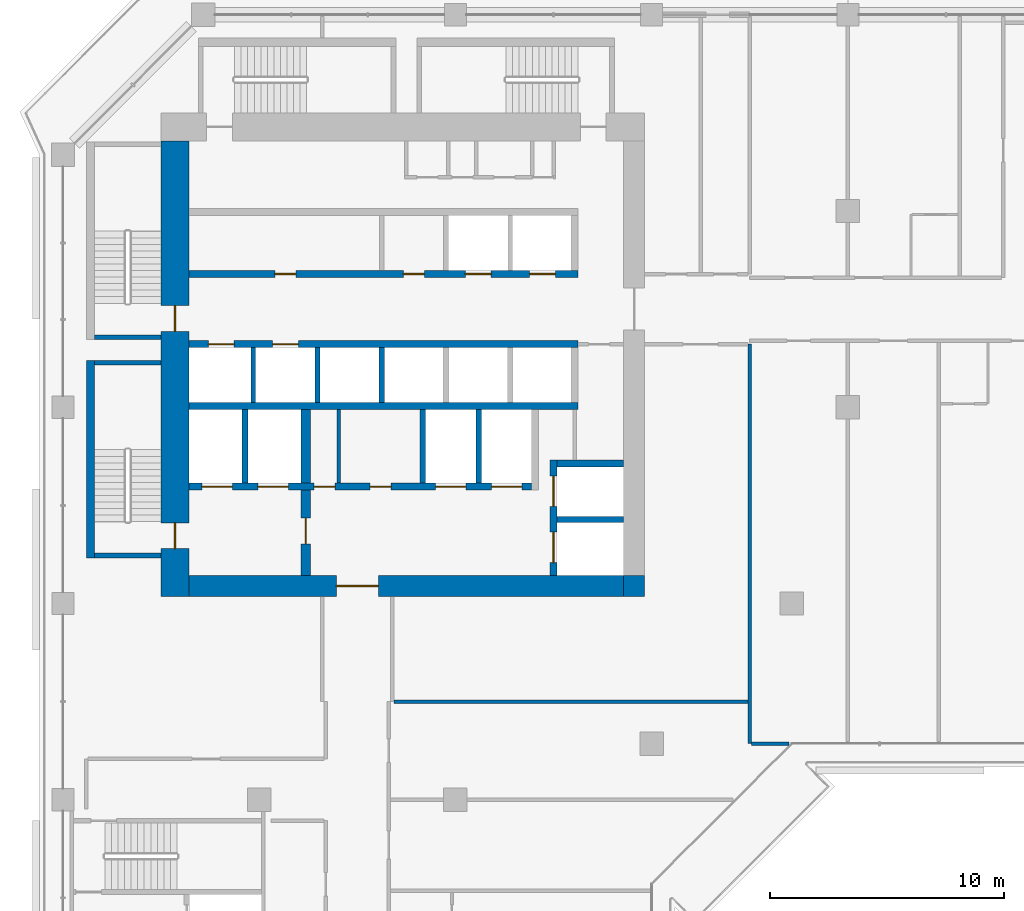
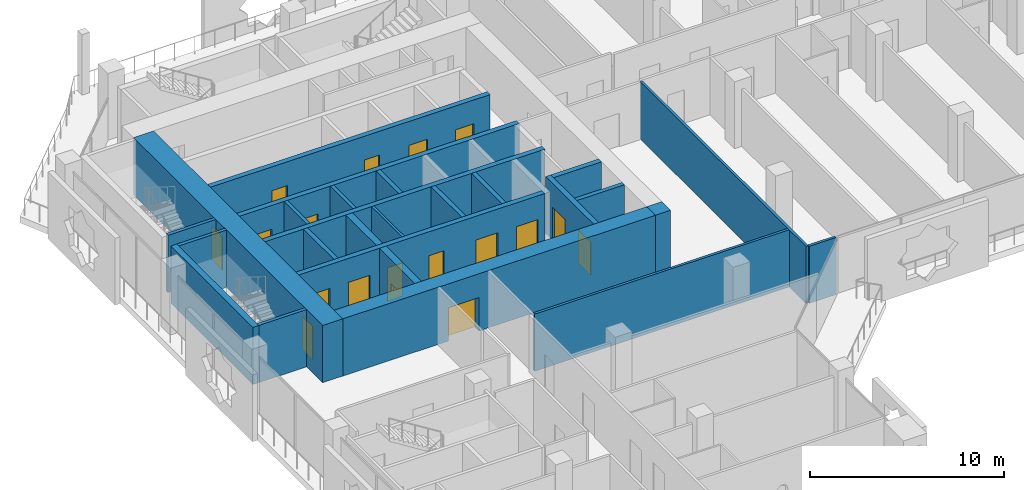
# One storey, part 11 of 22: 26 walls, 18 doors, 18 openings.
"""IFC4 building model written with IfcOpenShell, lengths in metres."""

import ifcopenshell
import ifcopenshell.guid

model = None  # the IFC model being written
_history = None  # IfcOwnerHistory: only IFC2X3 demands one
_inside = {}  # id of a spatial element -> (the spatial element, [elements in it])
_under = {}  # id of a project, library or spatial element -> (it, [spatial elements below it])
_declared = {}  # id of a project -> (the project, [libraries it declares])
_typed = {}  # id of a type object -> (the type object, [elements of that type])
_made_of = {}  # id of a material, layer set ... -> (it, [elements and type objects made of it])


def new_model(schema):
    """Start an empty IFC model of exactly this schema.

    Asked for "IFC4X3", IfcOpenShell would pick the latest addendum, in which some entities
    have other attributes; the version numbers below select the first issue.
    IFC2X3 requires an IfcOwnerHistory on every rooted entity: one is made here for all.
    """
    global model, _history
    if schema == "IFC4X3":
        model = ifcopenshell.file(schema_version=(4, 3, 0, 0))
    else:
        model = ifcopenshell.file(schema=schema)
    _inside.clear()
    _under.clear()
    _declared.clear()
    _typed.clear()
    _made_of.clear()
    _history = None
    if model.schema == "IFC2X3":
        org = make("IfcOrganization", Name="unknown")
        user = make(
            "IfcPersonAndOrganization",
            ThePerson=make("IfcPerson", FamilyName="unknown"),
            TheOrganization=org,
        )
        app = make(
            "IfcApplication",
            ApplicationDeveloper=org,
            Version="unknown",
            ApplicationFullName="unknown",
            ApplicationIdentifier="unknown",
        )
        _history = make(
            "IfcOwnerHistory",
            OwningUser=user,
            OwningApplication=app,
            ChangeAction="ADDED",
            CreationDate=0,
        )
    return model


def make(cls, **values):
    """One entity of the class cls with the attributes given. An attribute that is None is left unset."""
    return model.create_entity(
        cls, **{name: value for name, value in values.items() if value is not None}
    )


def rooted(cls, **values):
    """An entity with a GlobalId (a new one), such as an element, a storey or a relation."""
    return make(cls, GlobalId=ifcopenshell.guid.new(), OwnerHistory=_history, **values)


def si_unit(unit_type, name, prefix=None):
    """IfcSIUnit, for example si_unit("LENGTHUNIT", "METRE", prefix="MILLI")."""
    return make("IfcSIUnit", UnitType=unit_type, Prefix=prefix, Name=name)


def assignment(units):
    """IfcUnitAssignment: the units of a project."""
    return None if units is None else make("IfcUnitAssignment", Units=units)


def point(xyz):
    """IfcCartesianPoint."""
    return None if xyz is None else make("IfcCartesianPoint", Coordinates=xyz)


def direction(xyz):
    """IfcDirection."""
    return None if xyz is None else make("IfcDirection", DirectionRatios=xyz)


def frame(location, z_axis=None, x_axis=None):
    """IfcAxis2Placement3D, a coordinate frame: its origin and axes. An axis left out is left unset."""
    return make(
        "IfcAxis2Placement3D",
        Location=point(location),
        Axis=direction(z_axis),
        RefDirection=direction(x_axis),
    )


def frame_2d(location, x_axis=None):
    """IfcAxis2Placement2D, a coordinate frame in the plane: its origin and x axis."""
    return make(
        "IfcAxis2Placement2D", Location=point(location), RefDirection=direction(x_axis)
    )


def origin():
    """The frame at (0, 0, 0) with its axes left unset."""
    return frame((0.0, 0.0, 0.0))


def place(relative_to, where):
    """IfcLocalPlacement: puts the frame where relative to a parent placement (None: the world)."""
    return make(
        "IfcLocalPlacement", PlacementRelTo=relative_to, RelativePlacement=where
    )


def context(
    kind, dimensions, precision=None, world=None, true_north=None, identifier=None
):
    """IfcGeometricRepresentationContext, for example the 3D "Model" context."""
    return make(
        "IfcGeometricRepresentationContext",
        ContextIdentifier=identifier,
        ContextType=kind,
        CoordinateSpaceDimension=dimensions,
        Precision=precision,
        WorldCoordinateSystem=world,
        TrueNorth=true_north,
    )


def subcontext(parent, identifier, kind, view, scale=None):
    """IfcGeometricRepresentationSubContext, for example "Body" below "Model"."""
    return make(
        "IfcGeometricRepresentationSubContext",
        ContextIdentifier=identifier,
        ContextType=kind,
        ParentContext=parent,
        TargetScale=scale,
        TargetView=view,
    )


def project(units=None, contexts=None):
    """IfcProject with its units and contexts."""
    return rooted(
        "IfcProject",
        Name="project",
        RepresentationContexts=contexts,
        UnitsInContext=assignment(units),
    )


def spatial(cls, under=None, at=None, **own):
    """A site, building, storey or space (cls), placed at a placement, below another one or the project."""
    s = rooted(cls, ObjectPlacement=at, **own)
    if under is not None:
        _under.setdefault(under.id(), (under, []))[1].append(s)
    return s


def profile(cls, at=None, kind="AREA", **sizes):
    """A parametric profile (cls). Its sizes go by their IFC names, for example OverallWidth=200.0."""
    return make(cls, ProfileType=kind, Position=at, **sizes)


def rectangle(**sizes):
    """IfcRectangleProfileDef."""
    return profile("IfcRectangleProfileDef", **sizes)


def extrude(swept, where, along, depth):
    """IfcExtrudedAreaSolid: the profile swept, set in the frame where, extruded along a direction by depth."""
    return make(
        "IfcExtrudedAreaSolid",
        SweptArea=swept,
        Position=where,
        ExtrudedDirection=direction(along),
        Depth=depth,
    )


def shape(context_of_items, identifier, shape_type, items):
    """IfcShapeRepresentation: the items that make up one representation, for example the "Body"."""
    return make(
        "IfcShapeRepresentation",
        ContextOfItems=context_of_items,
        RepresentationIdentifier=identifier,
        RepresentationType=shape_type,
        Items=items,
    )


def material(Name=None, Category=None):
    """IfcMaterial."""
    return make("IfcMaterial", Name=Name, Category=Category)


def layer(
    of_material, thickness, ventilated=None, Name=None, Category=None, Priority=None
):
    """IfcMaterialLayer: one layer of a wall or slab, of a material (None: an air gap)."""
    return make(
        "IfcMaterialLayer",
        Material=of_material,
        LayerThickness=thickness,
        IsVentilated=ventilated,
        Name=Name,
        Category=Category,
        Priority=Priority,
    )


def layer_set(layers, Name=None):
    """IfcMaterialLayerSet."""
    return make("IfcMaterialLayerSet", MaterialLayers=layers, LayerSetName=Name)


def made_of(thing, what):
    """Note that an element or type object is made of a material, layer set ...; save() writes the relation."""
    if what is not None:
        _made_of.setdefault(what.id(), (what, []))[1].append(thing)
    return thing


def type_object(cls, material=None, **own):
    """A type object (cls), such as IfcWallType, which elements share."""
    return made_of(rooted(cls, **own), material)


def element(
    cls,
    number,
    at=None,
    inside=None,
    cuts=None,
    type_object=None,
    material=None,
    context=None,
    identifier="Body",
    shape_type=None,
    held_by="IfcProductDefinitionShape",
    body=None,
    shapes=None,
    **own,
):
    """One element of the class cls, such as IfcWall. Its Tag is "e" and its number.

    at: its placement. inside: the storey or other place that contains it. cuts: it is an
    opening in that element (IfcRelVoidsElement). A single representation is given by context,
    identifier, shape_type and body (its items); several are given by shapes. held_by: the class
    of the entity that holds the representations. save() writes the other relations.
    """
    e = rooted(cls, Tag="e%d" % number, ObjectPlacement=at, **own)
    if body is not None:
        shapes = [shape(context, identifier, shape_type, body)]
    if shapes is not None:
        e.Representation = make(held_by, Representations=shapes)
    if inside is not None:
        _inside.setdefault(inside.id(), (inside, []))[1].append(e)
    if cuts is not None:
        rooted(
            "IfcRelVoidsElement", RelatingBuildingElement=cuts, RelatedOpeningElement=e
        )
    if type_object is not None:
        _typed.setdefault(type_object.id(), (type_object, []))[1].append(e)
    return made_of(e, material)


def fill(opening, filler):
    """IfcRelFillsElement: the door or window that sits in an opening."""
    return rooted(
        "IfcRelFillsElement",
        RelatingOpeningElement=opening,
        RelatedBuildingElement=filler,
    )


def aggregate(whole, parts):
    """IfcRelAggregates: a whole, such as a stair, and the parts it consists of."""
    return rooted("IfcRelAggregates", RelatingObject=whole, RelatedObjects=parts)


def save(model, path):
    """Write the relations noted so far, then the file.

    IfcRelAggregates (storeys below a building ...), IfcRelContainedInSpatialStructure (elements
    in a storey), IfcRelDefinesByType, IfcRelAssociatesMaterial and IfcRelDeclares: one each for
    every whole, place, type object, material and project.
    """
    for whole, parts in _under.values():
        aggregate(whole, parts)
    for where, things in _inside.values():
        rooted(
            "IfcRelContainedInSpatialStructure",
            RelatedElements=things,
            RelatingStructure=where,
        )
    for kind, things in _typed.values():
        rooted("IfcRelDefinesByType", RelatedObjects=things, RelatingType=kind)
    for what, things in _made_of.values():
        rooted("IfcRelAssociatesMaterial", RelatedObjects=things, RelatingMaterial=what)
    for by, libraries in _declared.values():
        rooted("IfcRelDeclares", RelatingContext=by, RelatedDefinitions=libraries)
    model.write(path)


model = new_model("IFC4")

# Units and contexts
model_context = context("Model", 3, precision=1e-05, world=origin(), true_north=direction((0.0, 1.0)))
body_context = subcontext(model_context, "Body", "Model", "MODEL_VIEW")
ifc_project = project(units=[si_unit("LENGTHUNIT", "METRE"), si_unit("AREAUNIT", "SQUARE_METRE"), si_unit("VOLUMEUNIT", "CUBIC_METRE"), si_unit("PLANEANGLEUNIT", "RADIAN"), si_unit("MASSUNIT", "GRAM", prefix="KILO")], contexts=[model_context])

# Site, building, storey
site_placement = place(None, origin())
site = spatial("IfcSite", under=ifc_project, at=site_placement, CompositionType="ELEMENT")
building_placement = place(site_placement, origin())
building = spatial("IfcBuilding", under=site, at=building_placement, Name="Kawkab Arch Medical Tower", CompositionType="ELEMENT")
storey_placement = place(building_placement, frame((0.0, 0.0, 171.0)))
storey = spatial("IfcBuildingStorey", under=building, at=storey_placement, Name="L39", CompositionType="ELEMENT", Elevation=171.0)

# Wall, openings, doors
ifc_material_1 = material(Name="Concrete C55/67", Category="concrete")
ifc_layer_1 = layer(ifc_material_1, 1.199951171875)
ifc_layer_set_1 = layer_set([ifc_layer_1], Name="Concrete C55/67")
wall_type_1 = type_object("IfcWallType", Name="Core ring wall 1200 C55/67", PredefinedType="SHEAR", material=ifc_layer_set_1)
wall_1_placement = place(storey_placement, frame((4.800048828125, -24.89990234375, 0.0), z_axis=(0.0, 0.0, 1.0), x_axis=(0.0, 1.0, 0.0)))
wall_1 = element("IfcWall", 1, at=wall_1_placement, inside=storey, type_object=wall_type_1, Name="L39 core wall", PredefinedType="SHEAR", context=body_context, shape_type="SweptSolid", body=[
    extrude(rectangle(XDim=19.5, YDim=1.199951171875, at=frame_2d((9.75, 0.0))), origin(), (0.0, 0.0, 1.0), 3.60009765625),
])
opening_1_placement = place(wall_1_placement, frame((11.35009765625, 0.0, 0.0)))
opening_1 = element("IfcOpeningElement", 2, at=opening_1_placement, cuts=wall_1, Name="Opening SD", PredefinedType="OPENING", context=body_context, shape_type="SweptSolid", body=[
    extrude(rectangle(XDim=1.10009765625, YDim=2.10009765625, at=frame_2d((0.550048828125, 1.050048828125))), frame((0.0, 0.60986328125, 0.0), z_axis=(0.0, -1.0, 0.0), x_axis=(1.0, 0.0, 0.0)), (0.0, 0.0, 1.0), 1.219970703125),
])
opening_2_placement = place(wall_1_placement, frame((2.050048828125, 0.0, 0.0)))
opening_2 = element("IfcOpeningElement", 3, at=opening_2_placement, cuts=wall_1, Name="Opening SD", PredefinedType="OPENING", context=body_context, shape_type="SweptSolid", body=[
    extrude(rectangle(XDim=1.10009765625, YDim=2.10009765625, at=frame_2d((0.550048828125, 1.050048828125))), frame((0.0, 0.60986328125, 0.0), z_axis=(0.0, -1.0, 0.0), x_axis=(1.0, 0.0, 0.0)), (0.0, 0.0, 1.0), 1.219970703125),
])
ifc_material_2 = material(Name="Hollow metal fire door leaf")
door_type_1 = type_object("IfcDoorType", Name="Exit stair door 1100", OperationType="SINGLE_SWING_LEFT", PredefinedType="DOOR", material=ifc_material_2)
door_1_placement = place(opening_1_placement, origin())
door_1 = element("IfcDoor", 4, at=door_1_placement, inside=storey, type_object=door_type_1, Name="L39 Exit stair ST1 door", OperationType="SINGLE_SWING_LEFT", OverallHeight=2.10009765625, OverallWidth=1.10009765625, PredefinedType="DOOR", context=body_context, shape_type="SweptSolid", body=[
    extrude(rectangle(XDim=1.10009765625, YDim=2.10009765625, at=frame_2d((0.550048828125, 1.050048828125))), frame((0.0, 0.02490234375, 0.0), z_axis=(0.0, -1.0, 0.0), x_axis=(1.0, 0.0, 0.0)), (0.0, 0.0, 1.0), 0.050048828125),
])
fill(opening_1, door_1)
door_2_placement = place(opening_2_placement, origin())
door_2 = element("IfcDoor", 5, at=door_2_placement, inside=storey, type_object=door_type_1, Name="L39 Exit stair ST2 door", OperationType="SINGLE_SWING_LEFT", OverallHeight=2.10009765625, OverallWidth=1.10009765625, PredefinedType="DOOR", context=body_context, shape_type="SweptSolid", body=[
    extrude(rectangle(XDim=1.10009765625, YDim=2.10009765625, at=frame_2d((0.550048828125, 1.050048828125))), frame((0.0, 0.02490234375, 0.0), z_axis=(0.0, -1.0, 0.0), x_axis=(1.0, 0.0, 0.0)), (0.0, 0.0, 1.0), 0.050048828125),
])
fill(opening_2, door_2)

# Wall, opening, door
ifc_material_3 = material(Name="Concrete C55/67", Category="concrete")
ifc_layer_2 = layer(ifc_material_3, 0.89990234375)
ifc_layer_set_2 = layer_set([ifc_layer_2], Name="Concrete C55/67")
wall_type_2 = type_object("IfcWallType", Name="Core ring wall 900 C55/67", PredefinedType="SHEAR", material=ifc_layer_set_2)
wall_2_placement = place(storey_placement, frame((5.39990234375, -24.449951171875, 0.0), z_axis=(0.0, 0.0, 1.0), x_axis=(1.0, 0.0, 0.0)))
wall_2 = element("IfcWall", 6, at=wall_2_placement, inside=storey, type_object=wall_type_2, Name="L39 core wall", PredefinedType="SHEAR", context=body_context, shape_type="SweptSolid", body=[
    extrude(rectangle(XDim=18.60009765625, YDim=0.89990234375, at=frame_2d((9.300048828125, 0.0))), origin(), (0.0, 0.0, 1.0), 3.60009765625),
])
opening_3_placement = place(wall_2_placement, frame((6.300048828125, 0.0, 0.0)))
opening_3 = element("IfcOpeningElement", 7, at=opening_3_placement, cuts=wall_2, Name="Opening PD", PredefinedType="OPENING", context=body_context, shape_type="SweptSolid", body=[
    extrude(rectangle(XDim=1.800048828125, YDim=2.10009765625, at=frame_2d((0.89990234375, 1.050048828125))), frame((0.0, 0.4599609375, 0.0), z_axis=(0.0, -1.0, 0.0), x_axis=(1.0, 0.0, 0.0)), (0.0, 0.0, 1.0), 0.919921875),
])
ifc_material_4 = material(Name="Hollow metal fire door leaf")
door_type_2 = type_object("IfcDoorType", Name="Core entrance doors 1800", OperationType="DOUBLE_DOOR_SINGLE_SWING", PredefinedType="DOOR", material=ifc_material_4)
door_3_placement = place(opening_3_placement, origin())
door_3 = element("IfcDoor", 8, at=door_3_placement, inside=storey, type_object=door_type_2, Name="L39 South entrance doors", OperationType="DOUBLE_DOOR_SINGLE_SWING", OverallHeight=2.10009765625, OverallWidth=1.800048828125, PredefinedType="DOOR", context=body_context, shape_type="SweptSolid", body=[
    extrude(rectangle(XDim=1.800048828125, YDim=2.10009765625, at=frame_2d((0.89990234375, 1.050048828125))), frame((0.0, 0.02490234375, 0.0), z_axis=(0.0, -1.0, 0.0), x_axis=(1.0, 0.0, 0.0)), (0.0, 0.0, 1.0), 0.050048828125),
])
fill(opening_3, door_3)

# Walls
wall_3_placement = place(storey_placement, frame((24.449951171875, -24.89990234375, 0.0), z_axis=(0.0, 0.0, 1.0), x_axis=(0.0, 1.0, 0.0)))
element("IfcWall", 9, at=wall_3_placement, inside=storey, type_object=wall_type_2, Name="L39 core wall", PredefinedType="SHEAR", context=body_context, shape_type="SweptSolid", body=[
    extrude(rectangle(XDim=0.89990234375, YDim=0.89990234375, at=frame_2d((0.449951171875, 0.0))), origin(), (0.0, 0.0, 1.0), 3.60009765625),
])
ifc_material_5 = material(Name="Gypsum board on steel studs", Category="steel")
ifc_layer_3 = layer(ifc_material_5, 0.14990234375)
ifc_layer_set_3 = layer_set([ifc_layer_3], Name="Gypsum board on steel studs")
wall_type_3 = type_object("IfcWallType", Name="Core room partition 150", PredefinedType="PARTITIONING", material=ifc_layer_set_3)
wall_4_placement = place(storey_placement, frame((11.800048828125, -20.050048828125, 0.0), z_axis=(0.0, 0.0, 1.0), x_axis=(0.0, 1.0, 0.0)))
element("IfcWall", 10, at=wall_4_placement, inside=storey, type_object=wall_type_3, Name="L39 core room partition", PredefinedType="PARTITIONING", context=body_context, shape_type="SweptSolid", body=[
    extrude(rectangle(XDim=3.150146484375, YDim=0.14990234375, at=frame_2d((1.5751953125, 0.0))), origin(), (0.0, 0.0, 1.0), 3.60009765625),
])
ifc_material_6 = material(Name="Concrete C60/75", Category="concrete")
ifc_layer_4 = layer(ifc_material_6, 0.25)
ifc_layer_set_4 = layer_set([ifc_layer_4], Name="Concrete C60/75")
wall_type_4 = type_object("IfcWallType", Name="Core shear wall 250 C60/75", PredefinedType="SHEAR", material=ifc_layer_set_4)
wall_5_placement = place(storey_placement, frame((21.14990234375, -21.60009765625, 0.0), z_axis=(0.0, 0.0, 1.0), x_axis=(1.0, 0.0, 0.0)))
element("IfcWall", 11, at=wall_5_placement, inside=storey, type_object=wall_type_4, Name="L39 core shear wall", PredefinedType="SHEAR", context=body_context, shape_type="SweptSolid", body=[
    extrude(rectangle(XDim=2.85009765625, YDim=0.25, at=frame_2d((1.425048828125, 0.0))), origin(), (0.0, 0.0, 1.0), 3.60009765625),
])
for number, where, z_axis, x_axis, name in (
    (12, (7.800048828125, -20.050048828125, 0.0), (0.0, 0.0, 1.0), (0.0, 1.0, 0.0), "L39 core shear wall"),
    (13, (15.39990234375, -20.050048828125, 0.0), (0.0, 0.0, 1.0), (0.0, 1.0, 0.0), "L39 core shear wall"),
    (14, (17.800048828125, -20.050048828125, 0.0), (0.0, 0.0, 1.0), (0.0, 1.0, 0.0), "L39 core shear wall"),
):
    element("IfcWall", number, at=place(storey_placement, frame(where, z_axis=z_axis, x_axis=x_axis)), inside=storey, type_object=wall_type_4, Name=name, PredefinedType="SHEAR", context=body_context, shape_type="SweptSolid", body=[
        extrude(rectangle(XDim=3.150146484375, YDim=0.25, at=frame_2d((1.5751953125, 0.0))), origin(), (0.0, 0.0, 1.0), 3.60009765625),
    ])
wall_6_placement = place(storey_placement, frame((13.64990234375, -16.60009765625, 0.0), z_axis=(0.0, 0.0, 1.0), x_axis=(0.0, 1.0, 0.0)))
element("IfcWall", 15, at=wall_6_placement, inside=storey, type_object=wall_type_4, Name="L39 core shear wall", PredefinedType="SHEAR", context=body_context, shape_type="SweptSolid", body=[
    extrude(rectangle(XDim=2.35009765625, YDim=0.25, at=frame_2d((1.175048828125, 0.0))), origin(), (0.0, 0.0, 1.0), 3.60009765625),
])

# Wall, openings, doors
ifc_material_7 = material(Name="Concrete C60/75", Category="concrete")
ifc_layer_5 = layer(ifc_material_7, 0.300048828125)
ifc_layer_set_5 = layer_set([ifc_layer_5], Name="Concrete C60/75")
wall_type_5 = type_object("IfcWallType", Name="Core shear wall 300 C60/75", PredefinedType="SHEAR", material=ifc_layer_set_5)
wall_7_placement = place(storey_placement, frame((5.39990234375, -11.10009765625, 0.0), z_axis=(0.0, 0.0, 1.0), x_axis=(1.0, 0.0, 0.0)))
wall_7 = element("IfcWall", 16, at=wall_7_placement, inside=storey, type_object=wall_type_5, Name="L39 core shear wall", PredefinedType="SHEAR", context=body_context, shape_type="SweptSolid", body=[
    extrude(rectangle(XDim=16.650146484375, YDim=0.300048828125, at=frame_2d((8.3251953125, 0.0))), origin(), (0.0, 0.0, 1.0), 3.60009765625),
])
opening_4_placement = place(wall_7_placement, frame((11.824951171875, 0.0, 0.0)))
opening_4 = element("IfcOpeningElement", 17, at=opening_4_placement, cuts=wall_7, Name="Opening LD1", PredefinedType="OPENING", context=body_context, shape_type="SweptSolid", body=[
    extrude(rectangle(XDim=1.10009765625, YDim=2.10009765625, at=frame_2d((0.550048828125, 1.050048828125))), frame((0.0, 0.159912109375, 0.0), z_axis=(0.0, -1.0, 0.0), x_axis=(1.0, 0.0, 0.0)), (0.0, 0.0, 1.0), 0.320068359375),
])
opening_5_placement = place(wall_7_placement, frame((14.574951171875, 0.0, 0.0)))
opening_5 = element("IfcOpeningElement", 18, at=opening_5_placement, cuts=wall_7, Name="Opening LD1", PredefinedType="OPENING", context=body_context, shape_type="SweptSolid", body=[
    extrude(rectangle(XDim=1.10009765625, YDim=2.10009765625, at=frame_2d((0.550048828125, 1.050048828125))), frame((0.0, 0.159912109375, 0.0), z_axis=(0.0, -1.0, 0.0), x_axis=(1.0, 0.0, 0.0)), (0.0, 0.0, 1.0), 0.320068359375),
])
opening_6_placement = place(wall_7_placement, frame((3.675048828125, 0.0, 0.0)))
opening_6 = element("IfcOpeningElement", 19, at=opening_6_placement, cuts=wall_7, Name="Opening RD", PredefinedType="OPENING", context=body_context, shape_type="SweptSolid", body=[
    extrude(rectangle(XDim=0.89990234375, YDim=2.10009765625, at=frame_2d((0.449951171875, 1.050048828125))), frame((0.0, 0.159912109375, 0.0), z_axis=(0.0, -1.0, 0.0), x_axis=(1.0, 0.0, 0.0)), (0.0, 0.0, 1.0), 0.320068359375),
])
opening_7_placement = place(wall_7_placement, frame((9.175048828125, 0.0, 0.0)))
opening_7 = element("IfcOpeningElement", 20, at=opening_7_placement, cuts=wall_7, Name="Opening RD", PredefinedType="OPENING", context=body_context, shape_type="SweptSolid", body=[
    extrude(rectangle(XDim=0.89990234375, YDim=2.10009765625, at=frame_2d((0.449951171875, 1.050048828125))), frame((0.0, 0.159912109375, 0.0), z_axis=(0.0, -1.0, 0.0), x_axis=(1.0, 0.0, 0.0)), (0.0, 0.0, 1.0), 0.320068359375),
])
ifc_material_8 = material(Name="Hollow metal fire door leaf")
door_type_3 = type_object("IfcDoorType", Name="Core room door 900", OperationType="SINGLE_SWING_LEFT", PredefinedType="DOOR", material=ifc_material_8)
door_4_placement = place(opening_6_placement, origin())
door_4 = element("IfcDoor", 21, at=door_4_placement, inside=storey, type_object=door_type_3, Name="L39 Clean utility room door", OperationType="SINGLE_SWING_LEFT", OverallHeight=2.10009765625, OverallWidth=0.89990234375, PredefinedType="DOOR", context=body_context, shape_type="SweptSolid", body=[
    extrude(rectangle(XDim=0.89990234375, YDim=2.10009765625, at=frame_2d((0.449951171875, 1.050048828125))), frame((0.0, 0.02490234375, 0.0), z_axis=(0.0, -1.0, 0.0), x_axis=(1.0, 0.0, 0.0)), (0.0, 0.0, 1.0), 0.050048828125),
])
fill(opening_6, door_4)
door_5_placement = place(opening_7_placement, origin())
door_5 = element("IfcDoor", 22, at=door_5_placement, inside=storey, type_object=door_type_3, Name="L39 General store door", OperationType="SINGLE_SWING_LEFT", OverallHeight=2.10009765625, OverallWidth=0.89990234375, PredefinedType="DOOR", context=body_context, shape_type="SweptSolid", body=[
    extrude(rectangle(XDim=0.89990234375, YDim=2.10009765625, at=frame_2d((0.449951171875, 1.050048828125))), frame((0.0, 0.02490234375, 0.0), z_axis=(0.0, -1.0, 0.0), x_axis=(1.0, 0.0, 0.0)), (0.0, 0.0, 1.0), 0.050048828125),
])
fill(opening_7, door_5)
ifc_material_9 = material(Name="Stainless steel lift door leaf", Category="steel")
door_type_4 = type_object("IfcDoorType", Name="Lift landing door 1100", OperationType="DOUBLE_DOOR_SLIDING", PredefinedType="DOOR", material=ifc_material_9)
door_6_placement = place(opening_4_placement, origin())
door_6 = element("IfcDoor", 23, at=door_6_placement, inside=storey, type_object=door_type_4, Name="L39 Lift landing door MP1", OperationType="DOUBLE_DOOR_SLIDING", OverallHeight=2.10009765625, OverallWidth=1.10009765625, PredefinedType="DOOR", context=body_context, shape_type="SweptSolid", body=[
    extrude(rectangle(XDim=1.10009765625, YDim=2.10009765625, at=frame_2d((0.550048828125, 1.050048828125))), frame((0.0, 0.02490234375, 0.0), z_axis=(0.0, -1.0, 0.0), x_axis=(1.0, 0.0, 0.0)), (0.0, 0.0, 1.0), 0.050048828125),
])
fill(opening_4, door_6)
door_7_placement = place(opening_5_placement, origin())
door_7 = element("IfcDoor", 24, at=door_7_placement, inside=storey, type_object=door_type_4, Name="L39 Lift landing door MP2", OperationType="DOUBLE_DOOR_SLIDING", OverallHeight=2.10009765625, OverallWidth=1.10009765625, PredefinedType="DOOR", context=body_context, shape_type="SweptSolid", body=[
    extrude(rectangle(XDim=1.10009765625, YDim=2.10009765625, at=frame_2d((0.550048828125, 1.050048828125))), frame((0.0, 0.02490234375, 0.0), z_axis=(0.0, -1.0, 0.0), x_axis=(1.0, 0.0, 0.0)), (0.0, 0.0, 1.0), 0.050048828125),
])
fill(opening_5, door_7)

wall_8_placement = place(storey_placement, frame((5.39990234375, -14.10009765625, 0.0), z_axis=(0.0, 0.0, 1.0), x_axis=(1.0, 0.0, 0.0)))
wall_8 = element("IfcWall", 25, at=wall_8_placement, inside=storey, type_object=wall_type_5, Name="L39 core shear wall", PredefinedType="SHEAR", context=body_context, shape_type="SweptSolid", body=[
    extrude(rectangle(XDim=16.650146484375, YDim=0.300048828125, at=frame_2d((8.3251953125, 0.0))), origin(), (0.0, 0.0, 1.0), 3.60009765625),
])
opening_8_placement = place(wall_8_placement, frame((0.824951171875, 0.0, 0.0)))
opening_8 = element("IfcOpeningElement", 26, at=opening_8_placement, cuts=wall_8, Name="Opening LD1", PredefinedType="OPENING", context=body_context, shape_type="SweptSolid", body=[
    extrude(rectangle(XDim=1.10009765625, YDim=2.10009765625, at=frame_2d((0.550048828125, 1.050048828125))), frame((0.0, 0.159912109375, 0.0), z_axis=(0.0, -1.0, 0.0), x_axis=(1.0, 0.0, 0.0)), (0.0, 0.0, 1.0), 0.320068359375),
])
opening_9_placement = place(wall_8_placement, frame((3.574951171875, 0.0, 0.0)))
opening_9 = element("IfcOpeningElement", 27, at=opening_9_placement, cuts=wall_8, Name="Opening LD1", PredefinedType="OPENING", context=body_context, shape_type="SweptSolid", body=[
    extrude(rectangle(XDim=1.10009765625, YDim=2.10009765625, at=frame_2d((0.550048828125, 1.050048828125))), frame((0.0, 0.159912109375, 0.0), z_axis=(0.0, -1.0, 0.0), x_axis=(1.0, 0.0, 0.0)), (0.0, 0.0, 1.0), 0.320068359375),
])
door_8_placement = place(opening_8_placement, origin())
door_8 = element("IfcDoor", 28, at=door_8_placement, inside=storey, type_object=door_type_4, Name="L39 Lift landing door MP3", OperationType="DOUBLE_DOOR_SLIDING", OverallHeight=2.10009765625, OverallWidth=1.10009765625, PredefinedType="DOOR", context=body_context, shape_type="SweptSolid", body=[
    extrude(rectangle(XDim=1.10009765625, YDim=2.10009765625, at=frame_2d((0.550048828125, 1.050048828125))), frame((0.0, 0.02490234375, 0.0), z_axis=(0.0, -1.0, 0.0), x_axis=(1.0, 0.0, 0.0)), (0.0, 0.0, 1.0), 0.050048828125),
])
fill(opening_8, door_8)
door_9_placement = place(opening_9_placement, origin())
door_9 = element("IfcDoor", 29, at=door_9_placement, inside=storey, type_object=door_type_4, Name="L39 Lift landing door MP4", OperationType="DOUBLE_DOOR_SLIDING", OverallHeight=2.10009765625, OverallWidth=1.10009765625, PredefinedType="DOOR", context=body_context, shape_type="SweptSolid", body=[
    extrude(rectangle(XDim=1.10009765625, YDim=2.10009765625, at=frame_2d((0.550048828125, 1.050048828125))), frame((0.0, 0.02490234375, 0.0), z_axis=(0.0, -1.0, 0.0), x_axis=(1.0, 0.0, 0.0)), (0.0, 0.0, 1.0), 0.050048828125),
])
fill(opening_9, door_9)

# Wall
wall_9_placement = place(storey_placement, frame((5.39990234375, -16.75, 0.0), z_axis=(0.0, 0.0, 1.0), x_axis=(1.0, 0.0, 0.0)))
element("IfcWall", 30, at=wall_9_placement, inside=storey, type_object=wall_type_5, Name="L39 core shear wall", PredefinedType="SHEAR", context=body_context, shape_type="SweptSolid", body=[
    extrude(rectangle(XDim=16.650146484375, YDim=0.300048828125, at=frame_2d((8.3251953125, 0.0))), origin(), (0.0, 0.0, 1.0), 3.60009765625),
])

# Wall, openings, doors
wall_10_placement = place(storey_placement, frame((5.39990234375, -20.199951171875, 0.0), z_axis=(0.0, 0.0, 1.0), x_axis=(1.0, 0.0, 0.0)))
wall_10 = element("IfcWall", 31, at=wall_10_placement, inside=storey, type_object=wall_type_5, Name="L39 core shear wall", PredefinedType="SHEAR", context=body_context, shape_type="SweptSolid", body=[
    extrude(rectangle(XDim=14.650146484375, YDim=0.300048828125, at=frame_2d((7.3251953125, 0.0))), origin(), (0.0, 0.0, 1.0), 3.60009765625),
])
opening_10_placement = place(wall_10_placement, frame((10.550048828125, 0.0, 0.0)))
opening_10 = element("IfcOpeningElement", 32, at=opening_10_placement, cuts=wall_10, Name="Opening LD2", PredefinedType="OPENING", context=body_context, shape_type="SweptSolid", body=[
    extrude(rectangle(XDim=1.300048828125, YDim=2.10009765625, at=frame_2d((0.64990234375, 1.050048828125))), frame((0.0, 0.159912109375, 0.0), z_axis=(0.0, -1.0, 0.0), x_axis=(1.0, 0.0, 0.0)), (0.0, 0.0, 1.0), 0.320068359375),
])
opening_11_placement = place(wall_10_placement, frame((12.949951171875, 0.0, 0.0)))
opening_11 = element("IfcOpeningElement", 33, at=opening_11_placement, cuts=wall_10, Name="Opening LD2", PredefinedType="OPENING", context=body_context, shape_type="SweptSolid", body=[
    extrude(rectangle(XDim=1.300048828125, YDim=2.10009765625, at=frame_2d((0.64990234375, 1.050048828125))), frame((0.0, 0.159912109375, 0.0), z_axis=(0.0, -1.0, 0.0), x_axis=(1.0, 0.0, 0.0)), (0.0, 0.0, 1.0), 0.320068359375),
])
opening_12_placement = place(wall_10_placement, frame((0.550048828125, 0.0, 0.0)))
opening_12 = element("IfcOpeningElement", 34, at=opening_12_placement, cuts=wall_10, Name="Opening LD2", PredefinedType="OPENING", context=body_context, shape_type="SweptSolid", body=[
    extrude(rectangle(XDim=1.300048828125, YDim=2.10009765625, at=frame_2d((0.64990234375, 1.050048828125))), frame((0.0, 0.159912109375, 0.0), z_axis=(0.0, -1.0, 0.0), x_axis=(1.0, 0.0, 0.0)), (0.0, 0.0, 1.0), 0.320068359375),
])
opening_13_placement = place(wall_10_placement, frame((2.949951171875, 0.0, 0.0)))
opening_13 = element("IfcOpeningElement", 35, at=opening_13_placement, cuts=wall_10, Name="Opening LD2", PredefinedType="OPENING", context=body_context, shape_type="SweptSolid", body=[
    extrude(rectangle(XDim=1.300048828125, YDim=2.10009765625, at=frame_2d((0.64990234375, 1.050048828125))), frame((0.0, 0.159912109375, 0.0), z_axis=(0.0, -1.0, 0.0), x_axis=(1.0, 0.0, 0.0)), (0.0, 0.0, 1.0), 0.320068359375),
])
opening_14_placement = place(wall_10_placement, frame((5.35009765625, 0.0, 0.0)))
opening_14 = element("IfcOpeningElement", 36, at=opening_14_placement, cuts=wall_10, Name="Opening RD", PredefinedType="OPENING", context=body_context, shape_type="SweptSolid", body=[
    extrude(rectangle(XDim=0.89990234375, YDim=2.10009765625, at=frame_2d((0.449951171875, 1.050048828125))), frame((0.0, 0.159912109375, 0.0), z_axis=(0.0, -1.0, 0.0), x_axis=(1.0, 0.0, 0.0)), (0.0, 0.0, 1.0), 0.320068359375),
])
opening_15_placement = place(wall_10_placement, frame((7.75, 0.0, 0.0)))
opening_15 = element("IfcOpeningElement", 37, at=opening_15_placement, cuts=wall_10, Name="Opening RD", PredefinedType="OPENING", context=body_context, shape_type="SweptSolid", body=[
    extrude(rectangle(XDim=0.89990234375, YDim=2.10009765625, at=frame_2d((0.449951171875, 1.050048828125))), frame((0.0, 0.159912109375, 0.0), z_axis=(0.0, -1.0, 0.0), x_axis=(1.0, 0.0, 0.0)), (0.0, 0.0, 1.0), 0.320068359375),
])
door_10_placement = place(opening_14_placement, origin())
door_10 = element("IfcDoor", 38, at=door_10_placement, inside=storey, type_object=door_type_3, Name="L39 Linen store door", OperationType="SINGLE_SWING_LEFT", OverallHeight=2.10009765625, OverallWidth=0.89990234375, PredefinedType="DOOR", context=body_context, shape_type="SweptSolid", body=[
    extrude(rectangle(XDim=0.89990234375, YDim=2.10009765625, at=frame_2d((0.449951171875, 1.050048828125))), frame((0.0, 0.02490234375, 0.0), z_axis=(0.0, -1.0, 0.0), x_axis=(1.0, 0.0, 0.0)), (0.0, 0.0, 1.0), 0.050048828125),
])
fill(opening_14, door_10)
door_11_placement = place(opening_15_placement, origin())
door_11 = element("IfcDoor", 39, at=door_11_placement, inside=storey, type_object=door_type_3, Name="L39 Dirty utility room door", OperationType="SINGLE_SWING_LEFT", OverallHeight=2.10009765625, OverallWidth=0.89990234375, PredefinedType="DOOR", context=body_context, shape_type="SweptSolid", body=[
    extrude(rectangle(XDim=0.89990234375, YDim=2.10009765625, at=frame_2d((0.449951171875, 1.050048828125))), frame((0.0, 0.02490234375, 0.0), z_axis=(0.0, -1.0, 0.0), x_axis=(1.0, 0.0, 0.0)), (0.0, 0.0, 1.0), 0.050048828125),
])
fill(opening_15, door_11)
ifc_material_10 = material(Name="Stainless steel lift door leaf", Category="steel")
door_type_5 = type_object("IfcDoorType", Name="Lift landing door 1300", OperationType="DOUBLE_DOOR_SLIDING", PredefinedType="DOOR", material=ifc_material_10)
door_12_placement = place(opening_10_placement, origin())
door_12 = element("IfcDoor", 40, at=door_12_placement, inside=storey, type_object=door_type_5, Name="L39 Lift landing door BD3", OperationType="DOUBLE_DOOR_SLIDING", OverallHeight=2.10009765625, OverallWidth=1.300048828125, PredefinedType="DOOR", context=body_context, shape_type="SweptSolid", body=[
    extrude(rectangle(XDim=1.300048828125, YDim=2.10009765625, at=frame_2d((0.64990234375, 1.050048828125))), frame((0.0, 0.02490234375, 0.0), z_axis=(0.0, -1.0, 0.0), x_axis=(1.0, 0.0, 0.0)), (0.0, 0.0, 1.0), 0.050048828125),
])
fill(opening_10, door_12)
door_13_placement = place(opening_11_placement, origin())
door_13 = element("IfcDoor", 41, at=door_13_placement, inside=storey, type_object=door_type_5, Name="L39 Lift landing door BD4", OperationType="DOUBLE_DOOR_SLIDING", OverallHeight=2.10009765625, OverallWidth=1.300048828125, PredefinedType="DOOR", context=body_context, shape_type="SweptSolid", body=[
    extrude(rectangle(XDim=1.300048828125, YDim=2.10009765625, at=frame_2d((0.64990234375, 1.050048828125))), frame((0.0, 0.02490234375, 0.0), z_axis=(0.0, -1.0, 0.0), x_axis=(1.0, 0.0, 0.0)), (0.0, 0.0, 1.0), 0.050048828125),
])
fill(opening_11, door_13)
door_14_placement = place(opening_12_placement, origin())
door_14 = element("IfcDoor", 42, at=door_14_placement, inside=storey, type_object=door_type_5, Name="L39 Lift landing door FL1", OperationType="DOUBLE_DOOR_SLIDING", OverallHeight=2.10009765625, OverallWidth=1.300048828125, PredefinedType="DOOR", context=body_context, shape_type="SweptSolid", body=[
    extrude(rectangle(XDim=1.300048828125, YDim=2.10009765625, at=frame_2d((0.64990234375, 1.050048828125))), frame((0.0, 0.02490234375, 0.0), z_axis=(0.0, -1.0, 0.0), x_axis=(1.0, 0.0, 0.0)), (0.0, 0.0, 1.0), 0.050048828125),
])
fill(opening_12, door_14)
door_15_placement = place(opening_13_placement, origin())
door_15 = element("IfcDoor", 43, at=door_15_placement, inside=storey, type_object=door_type_5, Name="L39 Lift landing door FL2", OperationType="DOUBLE_DOOR_SLIDING", OverallHeight=2.10009765625, OverallWidth=1.300048828125, PredefinedType="DOOR", context=body_context, shape_type="SweptSolid", body=[
    extrude(rectangle(XDim=1.300048828125, YDim=2.10009765625, at=frame_2d((0.64990234375, 1.050048828125))), frame((0.0, 0.02490234375, 0.0), z_axis=(0.0, -1.0, 0.0), x_axis=(1.0, 0.0, 0.0)), (0.0, 0.0, 1.0), 0.050048828125),
])
fill(opening_13, door_15)

# Wall
wall_11_placement = place(storey_placement, frame((21.14990234375, -19.199951171875, 0.0), z_axis=(0.0, 0.0, 1.0), x_axis=(1.0, 0.0, 0.0)))
element("IfcWall", 44, at=wall_11_placement, inside=storey, type_object=wall_type_5, Name="L39 core shear wall", PredefinedType="SHEAR", context=body_context, shape_type="SweptSolid", body=[
    extrude(rectangle(XDim=2.85009765625, YDim=0.300048828125, at=frame_2d((1.425048828125, 0.0))), origin(), (0.0, 0.0, 1.0), 3.60009765625),
])

# Wall, openings, doors
wall_12_placement = place(storey_placement, frame((21.0, -24.0, 0.0), z_axis=(0.0, 0.0, 1.0), x_axis=(0.0, 1.0, 0.0)))
wall_12 = element("IfcWall", 45, at=wall_12_placement, inside=storey, type_object=wall_type_5, Name="L39 core shear wall", PredefinedType="SHEAR", context=body_context, shape_type="SweptSolid", body=[
    extrude(rectangle(XDim=4.949951171875, YDim=0.300048828125, at=frame_2d((2.47509765625, 0.0))), origin(), (0.0, 0.0, 1.0), 3.60009765625),
])
opening_16_placement = place(wall_12_placement, frame((2.949951171875, 0.0, 0.0)))
opening_16 = element("IfcOpeningElement", 46, at=opening_16_placement, cuts=wall_12, Name="Opening LD2", PredefinedType="OPENING", context=body_context, shape_type="SweptSolid", body=[
    extrude(rectangle(XDim=1.300048828125, YDim=2.10009765625, at=frame_2d((0.64990234375, 1.050048828125))), frame((0.0, 0.159912109375, 0.0), z_axis=(0.0, -1.0, 0.0), x_axis=(1.0, 0.0, 0.0)), (0.0, 0.0, 1.0), 0.320068359375),
])
opening_17_placement = place(wall_12_placement, frame((0.550048828125, 0.0, 0.0)))
opening_17 = element("IfcOpeningElement", 47, at=opening_17_placement, cuts=wall_12, Name="Opening LD2", PredefinedType="OPENING", context=body_context, shape_type="SweptSolid", body=[
    extrude(rectangle(XDim=1.300048828125, YDim=2.10009765625, at=frame_2d((0.64990234375, 1.050048828125))), frame((0.0, 0.159912109375, 0.0), z_axis=(0.0, -1.0, 0.0), x_axis=(1.0, 0.0, 0.0)), (0.0, 0.0, 1.0), 0.320068359375),
])
door_16_placement = place(opening_16_placement, origin())
door_16 = element("IfcDoor", 48, at=door_16_placement, inside=storey, type_object=door_type_5, Name="L39 Lift landing door BD1", OperationType="DOUBLE_DOOR_SLIDING", OverallHeight=2.10009765625, OverallWidth=1.300048828125, PredefinedType="DOOR", context=body_context, shape_type="SweptSolid", body=[
    extrude(rectangle(XDim=1.300048828125, YDim=2.10009765625, at=frame_2d((0.64990234375, 1.050048828125))), frame((0.0, 0.02490234375, 0.0), z_axis=(0.0, -1.0, 0.0), x_axis=(1.0, 0.0, 0.0)), (0.0, 0.0, 1.0), 0.050048828125),
])
fill(opening_16, door_16)
door_17_placement = place(opening_17_placement, origin())
door_17 = element("IfcDoor", 49, at=door_17_placement, inside=storey, type_object=door_type_5, Name="L39 Lift landing door BD2", OperationType="DOUBLE_DOOR_SLIDING", OverallHeight=2.10009765625, OverallWidth=1.300048828125, PredefinedType="DOOR", context=body_context, shape_type="SweptSolid", body=[
    extrude(rectangle(XDim=1.300048828125, YDim=2.10009765625, at=frame_2d((0.64990234375, 1.050048828125))), frame((0.0, 0.02490234375, 0.0), z_axis=(0.0, -1.0, 0.0), x_axis=(1.0, 0.0, 0.0)), (0.0, 0.0, 1.0), 0.050048828125),
])
fill(opening_17, door_17)

# Wall, opening, door
ifc_material_11 = material(Name="Concrete C60/75", Category="concrete")
ifc_layer_6 = layer(ifc_material_11, 0.39990234375)
ifc_layer_set_6 = layer_set([ifc_layer_6], Name="Concrete C60/75")
wall_type_6 = type_object("IfcWallType", Name="Core shear wall 400 C60/75", PredefinedType="SHEAR", material=ifc_layer_set_6)
wall_13_placement = place(storey_placement, frame((10.39990234375, -24.0, 0.0), z_axis=(0.0, 0.0, 1.0), x_axis=(0.0, 1.0, 0.0)))
wall_13 = element("IfcWall", 50, at=wall_13_placement, inside=storey, type_object=wall_type_6, Name="L39 core shear wall", PredefinedType="SHEAR", context=body_context, shape_type="SweptSolid", body=[
    extrude(rectangle(XDim=3.64990234375, YDim=0.39990234375, at=frame_2d((1.824951171875, 0.0))), origin(), (0.0, 0.0, 1.0), 3.60009765625),
])
opening_18_placement = place(wall_13_placement, frame((1.35009765625, 0.0, 0.0)))
opening_18 = element("IfcOpeningElement", 51, at=opening_18_placement, cuts=wall_13, Name="Opening FD", PredefinedType="OPENING", context=body_context, shape_type="SweptSolid", body=[
    extrude(rectangle(XDim=1.10009765625, YDim=2.10009765625, at=frame_2d((0.550048828125, 1.050048828125))), frame((0.0, 0.2099609375, 0.0), z_axis=(0.0, -1.0, 0.0), x_axis=(1.0, 0.0, 0.0)), (0.0, 0.0, 1.0), 0.419921875),
])
ifc_material_12 = material(Name="Hollow metal fire door leaf")
door_type_6 = type_object("IfcDoorType", Name="Firefighting lobby door 1100", OperationType="SINGLE_SWING_LEFT", PredefinedType="DOOR", material=ifc_material_12)
door_18_placement = place(opening_18_placement, origin())
door_18 = element("IfcDoor", 52, at=door_18_placement, inside=storey, type_object=door_type_6, Name="L39 Firefighting lobby door", OperationType="SINGLE_SWING_LEFT", OverallHeight=2.10009765625, OverallWidth=1.10009765625, PredefinedType="DOOR", context=body_context, shape_type="SweptSolid", body=[
    extrude(rectangle(XDim=1.10009765625, YDim=2.10009765625, at=frame_2d((0.550048828125, 1.050048828125))), frame((0.0, 0.02490234375, 0.0), z_axis=(0.0, -1.0, 0.0), x_axis=(1.0, 0.0, 0.0)), (0.0, 0.0, 1.0), 0.050048828125),
])
fill(opening_18, door_18)

# Walls
wall_14_placement = place(storey_placement, frame((10.39990234375, -20.050048828125, 0.0), z_axis=(0.0, 0.0, 1.0), x_axis=(0.0, 1.0, 0.0)))
element("IfcWall", 53, at=wall_14_placement, inside=storey, type_object=wall_type_6, Name="L39 core shear wall", PredefinedType="SHEAR", context=body_context, shape_type="SweptSolid", body=[
    extrude(rectangle(XDim=3.150146484375, YDim=0.39990234375, at=frame_2d((1.5751953125, 0.0))), origin(), (0.0, 0.0, 1.0), 3.60009765625),
])
ifc_material_13 = material(Name="Dense concrete blockwork", Category="masonry")
ifc_layer_7 = layer(ifc_material_13, 0.199951171875)
ifc_layer_set_7 = layer_set([ifc_layer_7], Name="Dense concrete blockwork")
wall_type_7 = type_object("IfcWallType", Name="Lift shaft partition 200", PredefinedType="PARTITIONING", material=ifc_layer_set_7)
for number, where, z_axis, x_axis, name in (
    (54, (8.14990234375, -16.60009765625, 0.0), (0.0, 0.0, 1.0), (0.0, 1.0, 0.0), "L39 lift shaft partition"),
    (55, (10.89990234375, -16.60009765625, 0.0), (0.0, 0.0, 1.0), (0.0, 1.0, 0.0), "L39 lift shaft partition"),
):
    element("IfcWall", number, at=place(storey_placement, frame(where, z_axis=z_axis, x_axis=x_axis)), inside=storey, type_object=wall_type_7, Name=name, PredefinedType="PARTITIONING", context=body_context, shape_type="SweptSolid", body=[
        extrude(rectangle(XDim=2.35009765625, YDim=0.199951171875, at=frame_2d((1.175048828125, 0.0))), origin(), (0.0, 0.0, 1.0), 3.60009765625),
    ])
ifc_material_14 = material(Name="Gypsum board partition on steel studs, mineral wool", Category="steel")
ifc_layer_8 = layer(ifc_material_14, 0.14990234375)
ifc_layer_set_8 = layer_set([ifc_layer_8], Name="Gypsum board partition on steel studs, mineral wool")
wall_type_8 = type_object("IfcWallType", Name="Partition 150", PredefinedType="PARTITIONING", material=ifc_layer_set_8)
wall_15_placement = place(storey_placement, frame((29.47705078125, -31.199951171875, 0.0), z_axis=(0.0, 0.0, 1.0), x_axis=(1.0, 0.0, 0.0)))
element("IfcWall", 56, at=wall_15_placement, inside=storey, type_object=wall_type_8, Name="Partition 150 w029", PredefinedType="PARTITIONING", context=body_context, shape_type="SweptSolid", body=[
    extrude(rectangle(XDim=1.60986328125, YDim=0.14990234375, at=frame_2d((0.804931640625, 0.0))), origin(), (0.0, 0.0, 1.0), 3.60009765625),
])
wall_16_placement = place(storey_placement, frame((14.175048828125, -29.39990234375, 0.0), z_axis=(0.0, 0.0, 1.0), x_axis=(1.0, 0.0, 0.0)))
element("IfcWall", 57, at=wall_16_placement, inside=storey, type_object=wall_type_8, Name="Partition 150 w030", PredefinedType="PARTITIONING", context=body_context, shape_type="SweptSolid", body=[
    extrude(rectangle(XDim=15.14990234375, YDim=0.14990234375, at=frame_2d((7.574951171875, 0.0))), origin(), (0.0, 0.0, 1.0), 3.60009765625),
])
wall_17_placement = place(storey_placement, frame((29.39990234375, -31.197998046875, 0.0), z_axis=(0.0, 0.0, 1.0), x_axis=(0.0, 1.0, 0.0)))
element("IfcWall", 58, at=wall_17_placement, inside=storey, type_object=wall_type_8, Name="Partition 150 w052", PredefinedType="PARTITIONING", context=body_context, shape_type="SweptSolid", body=[
    extrude(rectangle(XDim=17.097900390625, YDim=0.14990234375, at=frame_2d((8.548828125, 0.0))), origin(), (0.0, 0.0, 1.0), 3.60009765625),
])
ifc_material_15 = material(Name="Concrete C50/60", Category="concrete")
ifc_layer_9 = layer(ifc_material_15, 0.199951171875)
ifc_layer_set_9 = layer_set([ifc_layer_9], Name="Concrete C50/60")
wall_type_9 = type_object("IfcWallType", Name="Stair enclosure wall 200 C50/60", PredefinedType="SHEAR", material=ifc_layer_set_9)
for number, where, z_axis, x_axis, name in (
    (59, (1.35009765625, -13.800048828125, 0.0), (0.0, 0.0, 1.0), (1.0, 0.0, 0.0), "L39 stair enclosure wall"),
    (60, (1.35009765625, -14.89990234375, 0.0), (0.0, 0.0, 1.0), (1.0, 0.0, 0.0), "L39 stair enclosure wall"),
    (61, (1.35009765625, -23.14990234375, 0.0), (0.0, 0.0, 1.0), (1.0, 0.0, 0.0), "L39 stair enclosure wall"),
):
    element("IfcWall", number, at=place(storey_placement, frame(where, z_axis=z_axis, x_axis=x_axis)), inside=storey, type_object=wall_type_9, Name=name, PredefinedType="SHEAR", context=body_context, shape_type="SweptSolid", body=[
        extrude(rectangle(XDim=2.849853515625, YDim=0.199951171875, at=frame_2d((1.4248046875, 0.0))), origin(), (0.0, 0.0, 1.0), 3.60009765625),
    ])
ifc_material_16 = material(Name="Concrete C50/60", Category="concrete")
ifc_layer_10 = layer(ifc_material_16, 0.35009765625)
ifc_layer_set_10 = layer_set([ifc_layer_10], Name="Concrete C50/60")
wall_type_10 = type_object("IfcWallType", Name="Stair enclosure wall 350 C50/60", PredefinedType="SHEAR", material=ifc_layer_set_10)
wall_18_placement = place(storey_placement, frame((1.175048828125, -23.25, 0.0), z_axis=(0.0, 0.0, 1.0), x_axis=(0.0, 1.0, 0.0)))
element("IfcWall", 62, at=wall_18_placement, inside=storey, type_object=wall_type_10, Name="L39 stair enclosure wall", PredefinedType="SHEAR", context=body_context, shape_type="SweptSolid", body=[
    extrude(rectangle(XDim=8.449951171875, YDim=0.35009765625, at=frame_2d((4.22509765625, 0.0))), origin(), (0.0, 0.0, 1.0), 3.60009765625),
])

save(model, "model.ifc")
